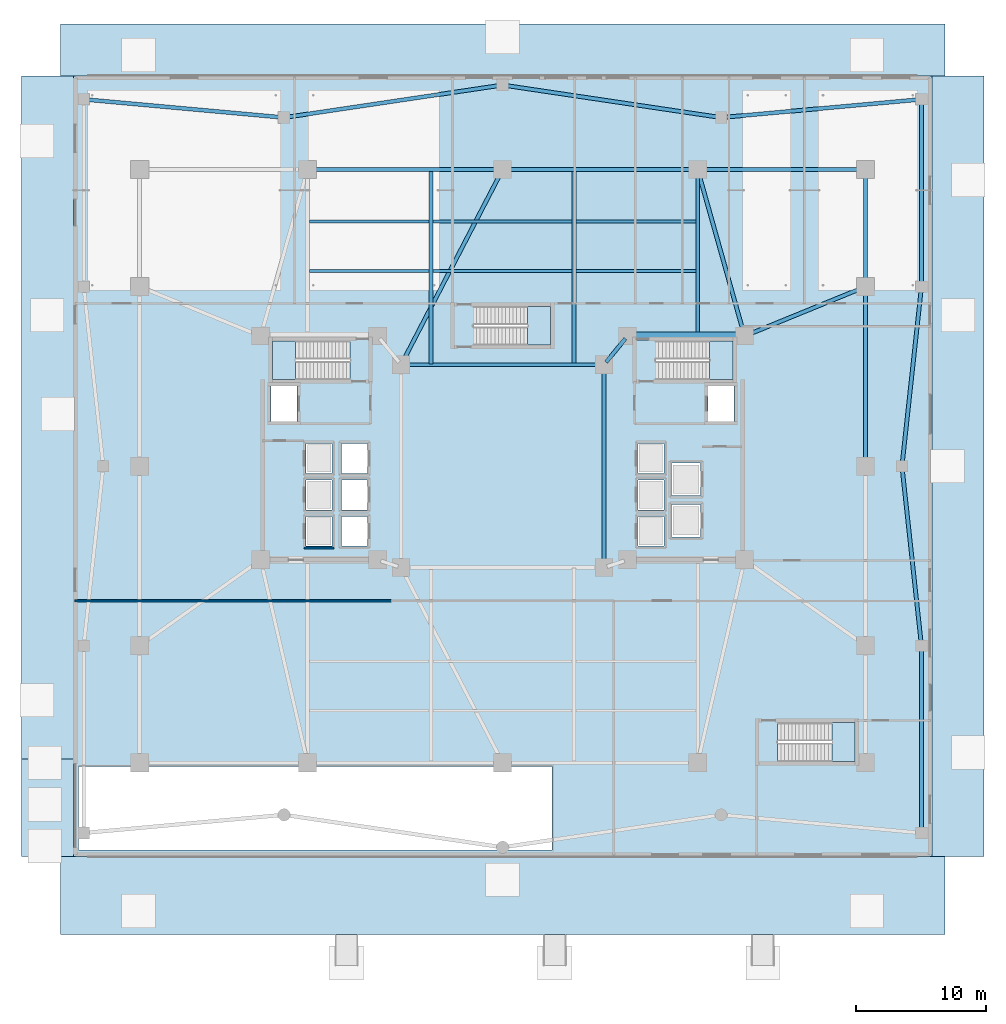
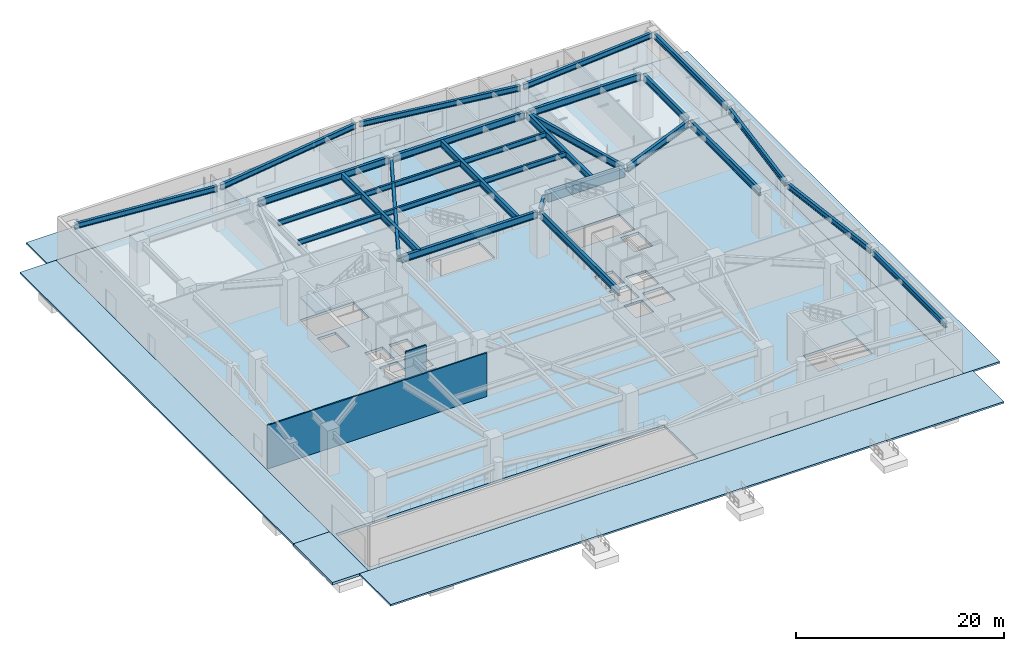
# One storey, part 2 of 18: 29 beams, 10 slabs, 2 walls, 4 elements without a shape of their own.
"""IFC4 building model written with IfcOpenShell, lengths in metres."""

import ifcopenshell
import ifcopenshell.guid

model = None  # the IFC model being written
_history = None  # IfcOwnerHistory: only IFC2X3 demands one
_inside = {}  # id of a spatial element -> (the spatial element, [elements in it])
_under = {}  # id of a project, library or spatial element -> (it, [spatial elements below it])
_declared = {}  # id of a project -> (the project, [libraries it declares])
_typed = {}  # id of a type object -> (the type object, [elements of that type])
_made_of = {}  # id of a material, layer set ... -> (it, [elements and type objects made of it])


def new_model(schema):
    """Start an empty IFC model of exactly this schema.

    Asked for "IFC4X3", IfcOpenShell would pick the latest addendum, in which some entities
    have other attributes; the version numbers below select the first issue.
    IFC2X3 requires an IfcOwnerHistory on every rooted entity: one is made here for all.
    """
    global model, _history
    if schema == "IFC4X3":
        model = ifcopenshell.file(schema_version=(4, 3, 0, 0))
    else:
        model = ifcopenshell.file(schema=schema)
    _inside.clear()
    _under.clear()
    _declared.clear()
    _typed.clear()
    _made_of.clear()
    _history = None
    if model.schema == "IFC2X3":
        org = make("IfcOrganization", Name="unknown")
        user = make(
            "IfcPersonAndOrganization",
            ThePerson=make("IfcPerson", FamilyName="unknown"),
            TheOrganization=org,
        )
        app = make(
            "IfcApplication",
            ApplicationDeveloper=org,
            Version="unknown",
            ApplicationFullName="unknown",
            ApplicationIdentifier="unknown",
        )
        _history = make(
            "IfcOwnerHistory",
            OwningUser=user,
            OwningApplication=app,
            ChangeAction="ADDED",
            CreationDate=0,
        )
    return model


def make(cls, **values):
    """One entity of the class cls with the attributes given. An attribute that is None is left unset."""
    return model.create_entity(
        cls, **{name: value for name, value in values.items() if value is not None}
    )


def rooted(cls, **values):
    """An entity with a GlobalId (a new one), such as an element, a storey or a relation."""
    return make(cls, GlobalId=ifcopenshell.guid.new(), OwnerHistory=_history, **values)


def si_unit(unit_type, name, prefix=None):
    """IfcSIUnit, for example si_unit("LENGTHUNIT", "METRE", prefix="MILLI")."""
    return make("IfcSIUnit", UnitType=unit_type, Prefix=prefix, Name=name)


def assignment(units):
    """IfcUnitAssignment: the units of a project."""
    return None if units is None else make("IfcUnitAssignment", Units=units)


def point(xyz):
    """IfcCartesianPoint."""
    return None if xyz is None else make("IfcCartesianPoint", Coordinates=xyz)


def direction(xyz):
    """IfcDirection."""
    return None if xyz is None else make("IfcDirection", DirectionRatios=xyz)


def frame(location, z_axis=None, x_axis=None):
    """IfcAxis2Placement3D, a coordinate frame: its origin and axes. An axis left out is left unset."""
    return make(
        "IfcAxis2Placement3D",
        Location=point(location),
        Axis=direction(z_axis),
        RefDirection=direction(x_axis),
    )


def frame_2d(location, x_axis=None):
    """IfcAxis2Placement2D, a coordinate frame in the plane: its origin and x axis."""
    return make(
        "IfcAxis2Placement2D", Location=point(location), RefDirection=direction(x_axis)
    )


def origin():
    """The frame at (0, 0, 0) with its axes left unset."""
    return frame((0.0, 0.0, 0.0))


def origin_2d():
    """The frame at (0, 0) in the plane with its x axis left unset."""
    return frame_2d((0.0, 0.0))


def place(relative_to, where):
    """IfcLocalPlacement: puts the frame where relative to a parent placement (None: the world)."""
    return make(
        "IfcLocalPlacement", PlacementRelTo=relative_to, RelativePlacement=where
    )


def context(
    kind, dimensions, precision=None, world=None, true_north=None, identifier=None
):
    """IfcGeometricRepresentationContext, for example the 3D "Model" context."""
    return make(
        "IfcGeometricRepresentationContext",
        ContextIdentifier=identifier,
        ContextType=kind,
        CoordinateSpaceDimension=dimensions,
        Precision=precision,
        WorldCoordinateSystem=world,
        TrueNorth=true_north,
    )


def subcontext(parent, identifier, kind, view, scale=None):
    """IfcGeometricRepresentationSubContext, for example "Body" below "Model"."""
    return make(
        "IfcGeometricRepresentationSubContext",
        ContextIdentifier=identifier,
        ContextType=kind,
        ParentContext=parent,
        TargetScale=scale,
        TargetView=view,
    )


def project(units=None, contexts=None):
    """IfcProject with its units and contexts."""
    return rooted(
        "IfcProject",
        Name="project",
        RepresentationContexts=contexts,
        UnitsInContext=assignment(units),
    )


def spatial(cls, under=None, at=None, **own):
    """A site, building, storey or space (cls), placed at a placement, below another one or the project."""
    s = rooted(cls, ObjectPlacement=at, **own)
    if under is not None:
        _under.setdefault(under.id(), (under, []))[1].append(s)
    return s


def polyline(points):
    """IfcPolyline through the points."""
    return make("IfcPolyline", Points=[point(p) for p in points])


def profile(cls, at=None, kind="AREA", **sizes):
    """A parametric profile (cls). Its sizes go by their IFC names, for example OverallWidth=200.0."""
    return make(cls, ProfileType=kind, Position=at, **sizes)


def rectangle(**sizes):
    """IfcRectangleProfileDef."""
    return profile("IfcRectangleProfileDef", **sizes)


def i_section(**sizes):
    """IfcIShapeProfileDef."""
    return profile("IfcIShapeProfileDef", **sizes)


def outline(outer, holes=None, kind="AREA"):
    """IfcArbitraryClosedProfileDef: a profile drawn as a closed curve; with holes, ...WithVoids."""
    if holes is None:
        return make("IfcArbitraryClosedProfileDef", ProfileType=kind, OuterCurve=outer)
    return make(
        "IfcArbitraryProfileDefWithVoids",
        ProfileType=kind,
        OuterCurve=outer,
        InnerCurves=holes,
    )


def extrude(swept, where, along, depth):
    """IfcExtrudedAreaSolid: the profile swept, set in the frame where, extruded along a direction by depth."""
    return make(
        "IfcExtrudedAreaSolid",
        SweptArea=swept,
        Position=where,
        ExtrudedDirection=direction(along),
        Depth=depth,
    )


def shape(context_of_items, identifier, shape_type, items):
    """IfcShapeRepresentation: the items that make up one representation, for example the "Body"."""
    return make(
        "IfcShapeRepresentation",
        ContextOfItems=context_of_items,
        RepresentationIdentifier=identifier,
        RepresentationType=shape_type,
        Items=items,
    )


def material(Name=None, Category=None):
    """IfcMaterial."""
    return make("IfcMaterial", Name=Name, Category=Category)


def layer(
    of_material, thickness, ventilated=None, Name=None, Category=None, Priority=None
):
    """IfcMaterialLayer: one layer of a wall or slab, of a material (None: an air gap)."""
    return make(
        "IfcMaterialLayer",
        Material=of_material,
        LayerThickness=thickness,
        IsVentilated=ventilated,
        Name=Name,
        Category=Category,
        Priority=Priority,
    )


def layer_set(layers, Name=None):
    """IfcMaterialLayerSet."""
    return make("IfcMaterialLayerSet", MaterialLayers=layers, LayerSetName=Name)


def material_profile(
    of_material, cross_section, Name=None, Category=None, Priority=None
):
    """IfcMaterialProfile: a cross section and its material."""
    return make(
        "IfcMaterialProfile",
        Name=Name,
        Material=of_material,
        Profile=cross_section,
        Priority=Priority,
        Category=Category,
    )


def profile_set(profiles, Name=None, composite=None):
    """IfcMaterialProfileSet."""
    return make(
        "IfcMaterialProfileSet",
        Name=Name,
        MaterialProfiles=profiles,
        CompositeProfile=composite,
    )


def made_of(thing, what):
    """Note that an element or type object is made of a material, layer set ...; save() writes the relation."""
    if what is not None:
        _made_of.setdefault(what.id(), (what, []))[1].append(thing)
    return thing


def type_object(cls, material=None, **own):
    """A type object (cls), such as IfcWallType, which elements share."""
    return made_of(rooted(cls, **own), material)


def element(
    cls,
    number,
    at=None,
    inside=None,
    cuts=None,
    type_object=None,
    material=None,
    context=None,
    identifier="Body",
    shape_type=None,
    held_by="IfcProductDefinitionShape",
    body=None,
    shapes=None,
    **own,
):
    """One element of the class cls, such as IfcWall. Its Tag is "e" and its number.

    at: its placement. inside: the storey or other place that contains it. cuts: it is an
    opening in that element (IfcRelVoidsElement). A single representation is given by context,
    identifier, shape_type and body (its items); several are given by shapes. held_by: the class
    of the entity that holds the representations. save() writes the other relations.
    """
    e = rooted(cls, Tag="e%d" % number, ObjectPlacement=at, **own)
    if body is not None:
        shapes = [shape(context, identifier, shape_type, body)]
    if shapes is not None:
        e.Representation = make(held_by, Representations=shapes)
    if inside is not None:
        _inside.setdefault(inside.id(), (inside, []))[1].append(e)
    if cuts is not None:
        rooted(
            "IfcRelVoidsElement", RelatingBuildingElement=cuts, RelatedOpeningElement=e
        )
    if type_object is not None:
        _typed.setdefault(type_object.id(), (type_object, []))[1].append(e)
    return made_of(e, material)


def aggregate(whole, parts):
    """IfcRelAggregates: a whole, such as a stair, and the parts it consists of."""
    return rooted("IfcRelAggregates", RelatingObject=whole, RelatedObjects=parts)


def save(model, path):
    """Write the relations noted so far, then the file.

    IfcRelAggregates (storeys below a building ...), IfcRelContainedInSpatialStructure (elements
    in a storey), IfcRelDefinesByType, IfcRelAssociatesMaterial and IfcRelDeclares: one each for
    every whole, place, type object, material and project.
    """
    for whole, parts in _under.values():
        aggregate(whole, parts)
    for where, things in _inside.values():
        rooted(
            "IfcRelContainedInSpatialStructure",
            RelatedElements=things,
            RelatingStructure=where,
        )
    for kind, things in _typed.values():
        rooted("IfcRelDefinesByType", RelatedObjects=things, RelatingType=kind)
    for what, things in _made_of.values():
        rooted("IfcRelAssociatesMaterial", RelatedObjects=things, RelatingMaterial=what)
    for by, libraries in _declared.values():
        rooted("IfcRelDeclares", RelatingContext=by, RelatedDefinitions=libraries)
    model.write(path)


model = new_model("IFC4")

# Units and contexts
model_context = context("Model", 3, precision=1e-05, world=origin(), true_north=direction((0.0, 1.0)))
body_context = subcontext(model_context, "Body", "Model", "MODEL_VIEW")
ifc_project = project(units=[si_unit("LENGTHUNIT", "METRE"), si_unit("AREAUNIT", "SQUARE_METRE"), si_unit("VOLUMEUNIT", "CUBIC_METRE"), si_unit("PLANEANGLEUNIT", "RADIAN"), si_unit("MASSUNIT", "GRAM", prefix="KILO")], contexts=[model_context])

# Site, building, storey
site_placement = place(None, origin())
site = spatial("IfcSite", under=ifc_project, at=site_placement, CompositionType="ELEMENT")
building_placement = place(site_placement, origin())
building = spatial("IfcBuilding", under=site, at=building_placement, Name="Tarnavaz Court Tower", CompositionType="ELEMENT")
storey_placement = place(building_placement, origin())
storey = spatial("IfcBuildingStorey", under=building, at=storey_placement, Name="L00", CompositionType="ELEMENT", Elevation=0.0)

# Beams
ifc_material_1 = material(Name="Concrete C60/75", Category="concrete")
ifc_material_profile_1 = material_profile(ifc_material_1, rectangle(XDim=0.60009765625, YDim=1.0, at=origin_2d()), Name="RC 600X1000")
ifc_profile_set_1 = profile_set([ifc_material_profile_1], Name="Concrete C60/75")
beam_type_1 = type_object("IfcBeamType", Name="BM-CB1000", PredefinedType="LINTEL", material=ifc_profile_set_1)
beam_1_placement = place(storey_placement, frame((18.35009765625, 10.0, 4.60009765625), z_axis=(-1.0, 0.0, 0.0), x_axis=(0.0, -1.0, 0.0)))
element("IfcBeam", 1, at=beam_1_placement, inside=storey, type_object=beam_type_1, Name="L00 Beam CE-NO-CE-NI", PredefinedType="LINTEL", context=body_context, shape_type="SweptSolid", body=[
    extrude(rectangle(XDim=0.60009765625, YDim=1.0, at=origin_2d()), origin(), (0.0, 0.0, 1.0), 8.5),
])
ifc_material_2 = material(Name="Steel S355", Category="steel")
ifc_material_profile_2 = material_profile(ifc_material_2, i_section(OverallWidth=0.300048828125, OverallDepth=0.800048828125, WebThickness=0.017578125, FlangeThickness=0.032958984375, FilletRadius=0.030029296875, at=origin_2d()), Name="HEB 800")
ifc_profile_set_2 = profile_set([ifc_material_profile_2], Name="Steel S355")
beam_type_2 = type_object("IfcBeamType", Name="BM-G-HEB800", PredefinedType="USERDEFINED", material=ifc_profile_set_2)
for number, where, z_axis, x_axis, name in (
    (2, (-7.550048828125, 7.800048828125, 4.699951171875), (1.0, 0.0, 0.0), (0.0, 1.0, 0.0), "L00 Beam IW-NW-IW-NE"),
    (3, (7.800048828125, -7.550048828125, 4.699951171875), (0.0, 1.0, 0.0), (-1.0, 0.0, 0.0), "L00 Beam IW-SE-IW-NE"),
):
    element("IfcBeam", number, at=place(storey_placement, frame(where, z_axis=z_axis, x_axis=x_axis)), inside=storey, type_object=beam_type_2, Name=name, ObjectType="GIRDER", PredefinedType="USERDEFINED", context=body_context, shape_type="SweptSolid", body=[
        extrude(i_section(OverallWidth=0.300048828125, OverallDepth=0.800048828125, WebThickness=0.017578125, FlangeThickness=0.032958984375, FilletRadius=0.030029296875, at=origin_2d()), origin(), (0.0, 0.0, 1.0), 15.10009765625),
    ])
beam_2_placement = place(storey_placement, frame((9.441650390625, 9.806396484375, 4.699951171875), z_axis=(-0.633249141033, -0.773948012066, 0.0), x_axis=(0.773948012066, -0.633249141033, 0.0)))
element("IfcBeam", 4, at=beam_2_placement, inside=storey, type_object=beam_type_2, Name="L00 Beam CE-NI-IW-NE", ObjectType="GIRDER", PredefinedType="USERDEFINED", context=body_context, shape_type="SweptSolid", body=[
    extrude(i_section(OverallWidth=0.300048828125, OverallDepth=0.800048828125, WebThickness=0.017578125, FlangeThickness=0.032958984375, FilletRadius=0.030029296875, at=origin_2d()), origin(), (0.0, 0.0, 1.0), 2.342529296875),
])
for number, where, z_axis, x_axis, name in (
    (5, (-14.75, 22.800048828125, 4.699951171875), (1.0, 0.0, 0.0), (0.0, 1.0, 0.0), "L00 Beam PM-PM-N1-PM-N2"),
    (6, (0.25, 22.800048828125, 4.699951171875), (1.0, 0.0, 0.0), (0.0, 1.0, 0.0), "L00 Beam PM-PM-N2-PM-N3"),
):
    element("IfcBeam", number, at=place(storey_placement, frame(where, z_axis=z_axis, x_axis=x_axis)), inside=storey, type_object=beam_type_2, Name=name, ObjectType="GIRDER", PredefinedType="USERDEFINED", context=body_context, shape_type="SweptSolid", body=[
        extrude(i_section(OverallWidth=0.300048828125, OverallDepth=0.800048828125, WebThickness=0.017578125, FlangeThickness=0.032958984375, FilletRadius=0.030029296875, at=origin_2d()), origin(), (0.0, 0.0, 1.0), 14.5),
    ])
beam_3_placement = place(storey_placement, frame((15.25, 22.800048828125, 4.699951171875), z_axis=(1.0, 0.0, 0.0), x_axis=(0.0, 1.0, 0.0)))
element("IfcBeam", 7, at=beam_3_placement, inside=storey, type_object=beam_type_2, Name="L00 Beam PM-PM-N3-PM-NE", ObjectType="GIRDER", PredefinedType="USERDEFINED", context=body_context, shape_type="SweptSolid", body=[
    extrude(i_section(OverallWidth=0.300048828125, OverallDepth=0.800048828125, WebThickness=0.017578125, FlangeThickness=0.032958984375, FilletRadius=0.030029296875, at=origin_2d()), origin(), (0.0, 0.0, 1.0), 12.39990234375),
])
beam_4_placement = place(storey_placement, frame((27.89990234375, 0.25, 4.699951171875), z_axis=(0.0, 1.0, 0.0), x_axis=(-1.0, 0.0, 0.0)))
element("IfcBeam", 8, at=beam_4_placement, inside=storey, type_object=beam_type_2, Name="L00 Beam PM-PM-E2-PM-E3", ObjectType="GIRDER", PredefinedType="USERDEFINED", context=body_context, shape_type="SweptSolid", body=[
    extrude(i_section(OverallWidth=0.300048828125, OverallDepth=0.800048828125, WebThickness=0.017578125, FlangeThickness=0.032958984375, FilletRadius=0.030029296875, at=origin_2d()), origin(), (0.0, 0.0, 1.0), 13.300048828125),
])
beam_5_placement = place(storey_placement, frame((27.89990234375, 14.050048828125, 4.699951171875), z_axis=(0.0, 1.0, 0.0), x_axis=(-1.0, 0.0, 0.0)))
element("IfcBeam", 9, at=beam_5_placement, inside=storey, type_object=beam_type_2, Name="L00 Beam PM-PM-E3-PM-NE", ObjectType="GIRDER", PredefinedType="USERDEFINED", context=body_context, shape_type="SweptSolid", body=[
    extrude(i_section(OverallWidth=0.300048828125, OverallDepth=0.800048828125, WebThickness=0.017578125, FlangeThickness=0.032958984375, FilletRadius=0.030029296875, at=origin_2d()), origin(), (0.0, 0.0, 1.0), 8.5),
])
beam_6_placement = place(storey_placement, frame((-7.684814453125, 8.021728515625, 4.699951171875), z_axis=(0.461364918236, 0.887210466699, 0.0), x_axis=(-0.887210466699, 0.461364918236, 0.0)))
element("IfcBeam", 10, at=beam_6_placement, inside=storey, type_object=beam_type_2, Name="L00 Beam PM-IW-NW-PM-N2", ObjectType="GIRDER", PredefinedType="USERDEFINED", context=body_context, shape_type="SweptSolid", body=[
    extrude(i_section(OverallWidth=0.300048828125, OverallDepth=0.800048828125, WebThickness=0.017578125, FlangeThickness=0.032958984375, FilletRadius=0.030029296875, at=origin_2d()), origin(), (0.0, 0.0, 1.0), 16.406982421875),
])
beam_7_placement = place(storey_placement, frame((18.5322265625, 10.24072265625, 4.699951171875), z_axis=(-0.270745024415, 0.962651095545, 0.0), x_axis=(-0.962651095545, -0.270745024415, 0.0)))
element("IfcBeam", 11, at=beam_7_placement, inside=storey, type_object=beam_type_2, Name="L00 Beam PM-CE-NO-PM-N3", ObjectType="GIRDER", PredefinedType="USERDEFINED", context=body_context, shape_type="SweptSolid", body=[
    extrude(i_section(OverallWidth=0.300048828125, OverallDepth=0.800048828125, WebThickness=0.017578125, FlangeThickness=0.032958984375, FilletRadius=0.030029296875, at=origin_2d()), origin(), (0.0, 0.0, 1.0), 12.796630859375),
])
beam_8_placement = place(storey_placement, frame((18.831298828125, 10.094482421875, 4.699951171875), z_axis=(0.925710630755, 0.378232505356, 0.0), x_axis=(-0.378232505356, 0.925710630755, 0.0)))
element("IfcBeam", 12, at=beam_8_placement, inside=storey, type_object=beam_type_2, Name="L00 Beam PM-CE-NO-PM-E3", ObjectType="GIRDER", PredefinedType="USERDEFINED", context=body_context, shape_type="SweptSolid", body=[
    extrude(i_section(OverallWidth=0.300048828125, OverallDepth=0.800048828125, WebThickness=0.017578125, FlangeThickness=0.032958984375, FilletRadius=0.030029296875, at=origin_2d()), origin(), (0.0, 0.0, 1.0), 9.546630859375),
])
for number, where, z_axis, x_axis, name in (
    (13, (-5.5, 7.840087890625, 4.699951171875), (0.0, 1.0, 0.0), (-1.0, 0.0, 0.0), "L00 Beam PM-NS-NCW"),
    (14, (5.5, 7.840087890625, 4.699951171875), (0.0, 1.0, 0.0), (-1.0, 0.0, 0.0), "L00 Beam PM-NS-NCE"),
):
    element("IfcBeam", number, at=place(storey_placement, frame(where, z_axis=z_axis, x_axis=x_axis)), inside=storey, type_object=beam_type_2, Name=name, ObjectType="GIRDER", PredefinedType="USERDEFINED", context=body_context, shape_type="SweptSolid", body=[
        extrude(i_section(OverallWidth=0.300048828125, OverallDepth=0.800048828125, WebThickness=0.017578125, FlangeThickness=0.032958984375, FilletRadius=0.030029296875, at=origin_2d()), origin(), (0.0, 0.0, 1.0), 14.919921875),
    ])
beam_9_placement = place(storey_placement, frame((15.0, 10.0400390625, 4.699951171875), z_axis=(0.0, 1.0, 0.0), x_axis=(-1.0, 0.0, 0.0)))
element("IfcBeam", 15, at=beam_9_placement, inside=storey, type_object=beam_type_2, Name="L00 Beam PM-NS-NE", ObjectType="GIRDER", PredefinedType="USERDEFINED", context=body_context, shape_type="SweptSolid", body=[
    extrude(i_section(OverallWidth=0.300048828125, OverallDepth=0.800048828125, WebThickness=0.017578125, FlangeThickness=0.032958984375, FilletRadius=0.030029296875, at=origin_2d()), origin(), (0.0, 0.0, 1.0), 12.719970703125),
])
ifc_material_profile_3 = material_profile(ifc_material_2, i_section(OverallWidth=0.219970703125, OverallDepth=0.60009765625, WebThickness=0.011962890625, FlangeThickness=0.01904296875, FilletRadius=0.02392578125, at=origin_2d()), Name="IPE 600")
ifc_profile_set_3 = profile_set([ifc_material_profile_3], Name="Steel S355")
beam_type_3 = type_object("IfcBeamType", Name="BM-J-IPE600", PredefinedType="JOIST", material=ifc_profile_set_3)
beam_10_placement = place(storey_placement, frame((-14.85009765625, 15.0, 4.800048828125), z_axis=(1.0, 0.0, 0.0), x_axis=(0.0, 1.0, 0.0)))
element("IfcBeam", 16, at=beam_10_placement, inside=storey, type_object=beam_type_3, Name="L00 Beam PJN-1-1", PredefinedType="JOIST", context=body_context, shape_type="SweptSolid", body=[
    extrude(i_section(OverallWidth=0.219970703125, OverallDepth=0.60009765625, WebThickness=0.011962890625, FlangeThickness=0.01904296875, FilletRadius=0.02392578125, at=origin_2d()), origin(), (0.0, 0.0, 1.0), 9.2001953125),
])
beam_11_placement = place(storey_placement, frame((-5.35009765625, 15.0, 4.800048828125), z_axis=(1.0, 0.0, 0.0), x_axis=(0.0, 1.0, 0.0)))
element("IfcBeam", 17, at=beam_11_placement, inside=storey, type_object=beam_type_3, Name="L00 Beam PJN-1-2", PredefinedType="JOIST", context=body_context, shape_type="SweptSolid", body=[
    extrude(i_section(OverallWidth=0.219970703125, OverallDepth=0.60009765625, WebThickness=0.011962890625, FlangeThickness=0.01904296875, FilletRadius=0.02392578125, at=origin_2d()), origin(), (0.0, 0.0, 1.0), 10.7001953125),
])
for number, where, z_axis, x_axis, name in (
    (18, (5.64990234375, 15.0, 4.800048828125), (1.0, 0.0, 0.0), (0.0, 1.0, 0.0), "L00 Beam PJN-1-3"),
    (19, (-14.85009765625, 18.800048828125, 4.800048828125), (1.0, 0.0, 0.0), (0.0, 1.0, 0.0), "L00 Beam PJN-2-1"),
):
    element("IfcBeam", number, at=place(storey_placement, frame(where, z_axis=z_axis, x_axis=x_axis)), inside=storey, type_object=beam_type_3, Name=name, PredefinedType="JOIST", context=body_context, shape_type="SweptSolid", body=[
        extrude(i_section(OverallWidth=0.219970703125, OverallDepth=0.60009765625, WebThickness=0.011962890625, FlangeThickness=0.01904296875, FilletRadius=0.02392578125, at=origin_2d()), origin(), (0.0, 0.0, 1.0), 9.2001953125),
    ])
beam_12_placement = place(storey_placement, frame((-5.35009765625, 18.800048828125, 4.800048828125), z_axis=(1.0, 0.0, 0.0), x_axis=(0.0, 1.0, 0.0)))
element("IfcBeam", 20, at=beam_12_placement, inside=storey, type_object=beam_type_3, Name="L00 Beam PJN-2-2", PredefinedType="JOIST", context=body_context, shape_type="SweptSolid", body=[
    extrude(i_section(OverallWidth=0.219970703125, OverallDepth=0.60009765625, WebThickness=0.011962890625, FlangeThickness=0.01904296875, FilletRadius=0.02392578125, at=origin_2d()), origin(), (0.0, 0.0, 1.0), 10.7001953125),
])
beam_13_placement = place(storey_placement, frame((5.64990234375, 18.800048828125, 4.800048828125), z_axis=(1.0, 0.0, 0.0), x_axis=(0.0, 1.0, 0.0)))
element("IfcBeam", 21, at=beam_13_placement, inside=storey, type_object=beam_type_3, Name="L00 Beam PJN-2-3", PredefinedType="JOIST", context=body_context, shape_type="SweptSolid", body=[
    extrude(i_section(OverallWidth=0.219970703125, OverallDepth=0.60009765625, WebThickness=0.011962890625, FlangeThickness=0.01904296875, FilletRadius=0.02392578125, at=origin_2d()), origin(), (0.0, 0.0, 1.0), 9.2001953125),
])
ifc_material_profile_4 = material_profile(ifc_material_2, i_section(OverallWidth=0.300048828125, OverallDepth=0.639892578125, WebThickness=0.013427734375, FlangeThickness=0.02587890625, FilletRadius=0.027099609375, at=origin_2d()), Name="HEA 650")
ifc_profile_set_4 = profile_set([ifc_material_profile_4], Name="Steel S355")
beam_type_4 = type_object("IfcBeamType", Name="BM-SP-HEA650", PredefinedType="SPANDREL", material=ifc_profile_set_4)
beam_14_placement = place(storey_placement, frame((32.199951171875, -28.0, 4.780029296875), z_axis=(0.0, 1.0, 0.0), x_axis=(-1.0, 0.0, 0.0)))
element("IfcBeam", 22, at=beam_14_placement, inside=storey, type_object=beam_type_4, Name="L00 Beam PR-POD-SE1-POD-E1", PredefinedType="SPANDREL", context=body_context, shape_type="SweptSolid", body=[
    extrude(i_section(OverallWidth=0.300048828125, OverallDepth=0.639892578125, WebThickness=0.013427734375, FlangeThickness=0.02587890625, FilletRadius=0.027099609375, at=origin_2d()), origin(), (0.0, 0.0, 1.0), 14.0),
])
for number, where, z_axis, x_axis, name in (
    (23, (32.178466796875, -13.601318359375, 4.780029296875), (-0.10805801352, 0.994144589944, 0.0), (-0.994144589944, -0.10805801352, 0.0), "L00 Beam PR-POD-E1-POD-E2"),
    (24, (30.7216796875, 0.19873046875, 4.780029296875), (0.10805801352, 0.994144589944, 0.0), (-0.994144589944, 0.10805801352, 0.0), "L00 Beam PR-POD-E2-POD-E3"),
):
    element("IfcBeam", number, at=place(storey_placement, frame(where, z_axis=z_axis, x_axis=x_axis)), inside=storey, type_object=beam_type_4, Name=name, PredefinedType="SPANDREL", context=body_context, shape_type="SweptSolid", body=[
        extrude(i_section(OverallWidth=0.300048828125, OverallDepth=0.639892578125, WebThickness=0.013427734375, FlangeThickness=0.02587890625, FilletRadius=0.027099609375, at=origin_2d()), origin(), (0.0, 0.0, 1.0), 13.4814453125),
    ])
beam_15_placement = place(storey_placement, frame((32.199951171875, 14.0, 4.780029296875), z_axis=(0.0, 1.0, 0.0), x_axis=(-1.0, 0.0, 0.0)))
element("IfcBeam", 25, at=beam_15_placement, inside=storey, type_object=beam_type_4, Name="L00 Beam PR-POD-E3-POD-NE1", PredefinedType="SPANDREL", context=body_context, shape_type="SweptSolid", body=[
    extrude(i_section(OverallWidth=0.300048828125, OverallDepth=0.639892578125, WebThickness=0.013427734375, FlangeThickness=0.02587890625, FilletRadius=0.027099609375, at=origin_2d()), origin(), (0.0, 0.0, 1.0), 14.0),
])
beam_16_placement = place(storey_placement, frame((-32.000732421875, 28.181884765625, 4.780029296875), z_axis=(0.995893206468, -0.090535746043, 0.0), x_axis=(0.090535746043, 0.995893206468, 0.0)))
element("IfcBeam", 26, at=beam_16_placement, inside=storey, type_object=beam_type_4, Name="L00 Beam PR-POD-NW1-POD-N1", PredefinedType="SPANDREL", context=body_context, shape_type="SweptSolid", body=[
    extrude(i_section(OverallWidth=0.300048828125, OverallDepth=0.639892578125, WebThickness=0.013427734375, FlangeThickness=0.02587890625, FilletRadius=0.027099609375, at=origin_2d()), origin(), (0.0, 0.0, 1.0), 15.063232421875),
])
for number, where, z_axis, x_axis, name in (
    (27, (-16.602294921875, 26.829345703125, 4.780029296875), (0.989108332922, 0.147189353368, 0.0), (-0.147189353368, 0.989108332922, 0.0), "L00 Beam PR-POD-N1-POD-N2"),
    (28, (0.19775390625, 29.2705078125, 4.780029296875), (0.989108332922, -0.147189353368, 0.0), (0.147189353368, 0.989108332922, 0.0), "L00 Beam PR-POD-N2-POD-N3"),
):
    element("IfcBeam", number, at=place(storey_placement, frame(where, z_axis=z_axis, x_axis=x_axis)), inside=storey, type_object=beam_type_4, Name=name, PredefinedType="SPANDREL", context=body_context, shape_type="SweptSolid", body=[
        extrude(i_section(OverallWidth=0.300048828125, OverallDepth=0.639892578125, WebThickness=0.013427734375, FlangeThickness=0.02587890625, FilletRadius=0.027099609375, at=origin_2d()), origin(), (0.0, 0.0, 1.0), 16.585205078125),
    ])
beam_17_placement = place(storey_placement, frame((16.999267578125, 26.818115234375, 4.780029296875), z_axis=(0.995893206468, 0.090535746043, 0.0), x_axis=(-0.090535746043, 0.995893206468, 0.0)))
element("IfcBeam", 29, at=beam_17_placement, inside=storey, type_object=beam_type_4, Name="L00 Beam PR-POD-N3-POD-NE1", PredefinedType="SPANDREL", context=body_context, shape_type="SweptSolid", body=[
    extrude(i_section(OverallWidth=0.300048828125, OverallDepth=0.639892578125, WebThickness=0.013427734375, FlangeThickness=0.02587890625, FilletRadius=0.027099609375, at=origin_2d()), origin(), (0.0, 0.0, 1.0), 15.063232421875),
])

# Stair, slab
ifc_material_3 = material(Name="Concrete C40/50", Category="concrete")
stair_type = type_object("IfcStairType", Name="ST-TWR-32R", PredefinedType="HALF_TURN_STAIR", material=ifc_material_3)
stair_1_placement = place(storey_placement, origin())
stair_1 = element("IfcStair", 30, at=stair_1_placement, inside=storey, type_object=stair_type, Name="L00 West Core Pressurized Exit Stair ST-W1", PredefinedType="HALF_TURN_STAIR")
ifc_layer_1 = layer(ifc_material_3, 0.199951171875)
ifc_layer_set_1 = layer_set([ifc_layer_1], Name="Concrete C40/50")
slab_type_1 = type_object("IfcSlabType", Name="SL-LAND-200", PredefinedType="LANDING", material=ifc_layer_set_1)
slab_1_placement = place(storey_placement, frame((0.0, 0.0, 2.5)))
slab_1 = element("IfcSlab", 31, at=slab_1_placement, type_object=slab_type_1, Name="ST-W1 landing 1", PredefinedType="LANDING", context=body_context, shape_type="SweptSolid", body=[
    extrude(outline(polyline([(-15.919921875, 9.639892578125), (-17.699951171875, 9.639892578125), (-17.699951171875, 6.64990234375), (-15.919921875, 6.64990234375), (-15.919921875, 9.639892578125)])), origin(), (0.0, 0.0, 1.0), 0.199951171875),
])
aggregate(stair_1, [slab_1])

stair_2_placement = place(storey_placement, origin())
stair_2 = element("IfcStair", 32, at=stair_2_placement, inside=storey, type_object=stair_type, Name="L00 East Core Pressurized Exit Stair ST-E1", PredefinedType="HALF_TURN_STAIR")
slab_2_placement = place(storey_placement, frame((0.0, 0.0, 2.5)))
slab_2 = element("IfcSlab", 33, at=slab_2_placement, type_object=slab_type_1, Name="ST-E1 landing 1", PredefinedType="LANDING", context=body_context, shape_type="SweptSolid", body=[
    extrude(outline(polyline([(15.919921875, 6.64990234375), (17.699951171875, 6.64990234375), (17.699951171875, 9.639892578125), (15.919921875, 9.639892578125), (15.919921875, 6.64990234375)])), origin(), (0.0, 0.0, 1.0), 0.199951171875),
])
aggregate(stair_2, [slab_2])

stair_3_placement = place(storey_placement, origin())
stair_3 = element("IfcStair", 34, at=stair_3_placement, inside=storey, type_object=stair_type, Name="L00 North Ring Pressurized Exit Stair ST-N1", PredefinedType="HALF_TURN_STAIR")
slab_3_placement = place(storey_placement, frame((0.0, 0.0, 2.5)))
slab_3 = element("IfcSlab", 35, at=slab_3_placement, type_object=slab_type_1, Name="ST-N1 landing 1", PredefinedType="LANDING", context=body_context, shape_type="SweptSolid", body=[
    extrude(outline(polyline([(1.919921875, 9.300048828125), (3.699951171875, 9.300048828125), (3.699951171875, 12.2900390625), (1.919921875, 12.2900390625), (1.919921875, 9.300048828125)])), origin(), (0.0, 0.0, 1.0), 0.199951171875),
])
aggregate(stair_3, [slab_3])

stair_4_placement = place(storey_placement, origin())
stair_4 = element("IfcStair", 36, at=stair_4_placement, inside=storey, type_object=stair_type, Name="L00 Podium Clinic Exit Stair ST-P1", PredefinedType="HALF_TURN_STAIR")
slab_4_placement = place(storey_placement, frame((0.0, 0.0, 2.5)))
slab_4 = element("IfcSlab", 37, at=slab_4_placement, type_object=slab_type_1, Name="ST-P1 landing 1", PredefinedType="LANDING", context=body_context, shape_type="SweptSolid", body=[
    extrude(outline(polyline([(25.320068359375, -22.699951171875), (27.10009765625, -22.699951171875), (27.10009765625, -19.7099609375), (25.320068359375, -19.7099609375), (25.320068359375, -22.699951171875)])), origin(), (0.0, 0.0, 1.0), 0.199951171875),
])
aggregate(stair_4, [slab_4])

# Slabs
ifc_layer_2 = layer(ifc_material_3, 0.199951171875)
ifc_layer_set_2 = layer_set([ifc_layer_2], Name="Concrete C40/50")
slab_type_2 = type_object("IfcSlabType", Name="SL-PAV-200", PredefinedType="USERDEFINED", material=ifc_layer_set_2)
slab_5_placement = place(storey_placement, frame((0.0, 0.0, -0.199951171875)))
element("IfcSlab", 38, at=slab_5_placement, inside=storey, type_object=slab_type_2, Name="South Chahar-Bagh Arrival Forecourt", ObjectType="PAVING", PredefinedType="USERDEFINED", context=body_context, shape_type="SweptSolid", body=[
    extrude(outline(polyline([(-34.0, -36.0), (34.0, -36.0), (34.0, -30.0), (-34.0, -30.0), (-34.0, -36.0)])), origin(), (0.0, 0.0, 1.0), 0.199951171875),
])
slab_6_placement = place(storey_placement, frame((0.0, 0.0, -0.199951171875)))
element("IfcSlab", 39, at=slab_6_placement, inside=storey, type_object=slab_type_2, Name="L00 North Perimeter Arrival Paving Walkway", ObjectType="PAVING", PredefinedType="USERDEFINED", context=body_context, shape_type="SweptSolid", body=[
    extrude(outline(polyline([(-34.0, 30.0), (34.0, 30.0), (34.0, 34.0), (-34.0, 34.0), (-34.0, 30.0)])), origin(), (0.0, 0.0, 1.0), 0.199951171875),
])
slab_7_placement = place(storey_placement, frame((0.0, 0.0, -0.199951171875)))
element("IfcSlab", 40, at=slab_7_placement, inside=storey, type_object=slab_type_2, Name="L00 West Perimeter Arrival Paving Walkway", ObjectType="PAVING", PredefinedType="USERDEFINED", context=body_context, shape_type="SweptSolid", body=[
    extrude(outline(polyline([(-37.0, -22.5), (-33.0, -22.5), (-33.0, 30.0), (-37.0, 30.0), (-37.0, -22.5)])), origin(), (0.0, 0.0, 1.0), 0.199951171875),
])
slab_8_placement = place(storey_placement, frame((0.0, 0.0, -0.199951171875)))
element("IfcSlab", 41, at=slab_8_placement, inside=storey, type_object=slab_type_2, Name="L00 East Perimeter Arrival Paving Walkway", ObjectType="PAVING", PredefinedType="USERDEFINED", context=body_context, shape_type="SweptSolid", body=[
    extrude(outline(polyline([(33.0, -30.0), (37.0, -30.0), (37.0, 30.0), (33.0, 30.0), (33.0, -30.0)])), origin(), (0.0, 0.0, 1.0), 0.199951171875),
])
ifc_layer_3 = layer(ifc_material_3, 0.300048828125)
ifc_layer_set_3 = layer_set([ifc_layer_3], Name="Concrete C40/50")
slab_type_3 = type_object("IfcSlabType", Name="SL-POD-300", PredefinedType="FLOOR", material=ifc_layer_set_3)
slab_9_placement = place(storey_placement, frame((0.0, 0.0, -0.300048828125)))
element("IfcSlab", 42, at=slab_9_placement, inside=storey, type_object=slab_type_3, Name="L00 Structural Floor Slab", PredefinedType="FLOOR", context=body_context, shape_type="SweptSolid", body=[
    extrude(outline(polyline([(-33.0, -30.0), (33.0, -30.0), (33.0, 30.0), (-33.0, 30.0), (-33.0, -30.0)]), holes=[polyline([(-11.7451171875, 9.639892578125), (-17.699951171875, 9.639892578125), (-17.699951171875, 6.64990234375), (-11.7451171875, 6.64990234375), (-11.7451171875, 9.639892578125)]), polyline([(11.7451171875, 6.64990234375), (17.699951171875, 6.64990234375), (17.699951171875, 9.639892578125), (11.7451171875, 9.639892578125), (11.7451171875, 6.64990234375)]), polyline([(-2.2548828125, 9.300048828125), (3.699951171875, 9.300048828125), (3.699951171875, 12.2900390625), (-2.2548828125, 12.2900390625), (-2.2548828125, 9.300048828125)]), polyline([(21.14501953125, -22.699951171875), (27.10009765625, -22.699951171875), (27.10009765625, -19.7099609375), (21.14501953125, -19.7099609375), (21.14501953125, -22.699951171875)]), polyline([(-17.800048828125, 3.449951171875), (-15.800048828125, 3.449951171875), (-15.800048828125, 6.14990234375), (-17.800048828125, 6.14990234375), (-17.800048828125, 3.449951171875)]), polyline([(-12.39990234375, -6.14990234375), (-10.39990234375, -6.14990234375), (-10.39990234375, -3.85009765625), (-12.39990234375, -3.85009765625), (-12.39990234375, -6.14990234375)]), polyline([(-12.39990234375, -3.35009765625), (-10.39990234375, -3.35009765625), (-10.39990234375, -1.050048828125), (-12.39990234375, -1.050048828125), (-12.39990234375, -3.35009765625)]), polyline([(-12.39990234375, -0.550048828125), (-10.39990234375, -0.550048828125), (-10.39990234375, 1.75), (-12.39990234375, 1.75), (-12.39990234375, -0.550048828125)]), polyline([(-15.10009765625, -6.14990234375), (-13.10009765625, -6.14990234375), (-13.10009765625, -3.85009765625), (-15.10009765625, -3.85009765625), (-15.10009765625, -6.14990234375)]), polyline([(-15.10009765625, -3.35009765625), (-13.10009765625, -3.35009765625), (-13.10009765625, -1.050048828125), (-15.10009765625, -1.050048828125), (-15.10009765625, -3.35009765625)]), polyline([(-15.10009765625, -0.550048828125), (-13.10009765625, -0.550048828125), (-13.10009765625, 1.75), (-15.10009765625, 1.75), (-15.10009765625, -0.550048828125)]), polyline([(15.800048828125, 3.449951171875), (17.800048828125, 3.449951171875), (17.800048828125, 6.14990234375), (15.800048828125, 6.14990234375), (15.800048828125, 3.449951171875)]), polyline([(10.39990234375, -6.14990234375), (12.39990234375, -6.14990234375), (12.39990234375, -3.85009765625), (10.39990234375, -3.85009765625), (10.39990234375, -6.14990234375)]), polyline([(10.39990234375, -3.35009765625), (12.39990234375, -3.35009765625), (12.39990234375, -1.050048828125), (10.39990234375, -1.050048828125), (10.39990234375, -3.35009765625)]), polyline([(10.39990234375, -0.550048828125), (12.39990234375, -0.550048828125), (12.39990234375, 1.75), (10.39990234375, 1.75), (10.39990234375, -0.550048828125)]), polyline([(13.0, -5.449951171875), (15.199951171875, -5.449951171875), (15.199951171875, -2.949951171875), (13.0, -2.949951171875), (13.0, -5.449951171875)]), polyline([(13.0, -2.25), (15.199951171875, -2.25), (15.199951171875, 0.25), (13.0, 0.25), (13.0, -2.25)]), polyline([(-32.60009765625, -29.5), (3.800048828125, -29.5), (3.800048828125, -23.10009765625), (-32.60009765625, -23.10009765625), (-32.60009765625, -29.5)])]), origin(), (0.0, 0.0, 1.0), 0.300048828125),
])
slab_10_placement = place(storey_placement, frame((0.0, 0.0, -0.300048828125)))
element("IfcSlab", 43, at=slab_10_placement, inside=storey, type_object=slab_type_3, Name="L00 West Vehicle Ramp Structural Driveway Apron", PredefinedType="FLOOR", context=body_context, shape_type="SweptSolid", body=[
    extrude(outline(polyline([(-37.0, -30.0), (-33.0, -30.0), (-33.0, -22.5), (-37.0, -22.5), (-37.0, -30.0)])), origin(), (0.0, 0.0, 1.0), 0.300048828125),
])

# Walls
ifc_material_4 = material(Name="Gypsum Fire-Board on Acoustic Metal Stud", Category="masonry")
ifc_layer_4 = layer(ifc_material_4, 0.14990234375)
ifc_layer_set_4 = layer_set([ifc_layer_4], Name="Gypsum Fire-Board on Acoustic Metal Stud")
wall_type_1 = type_object("IfcWallType", Name="WL-FIRE-150", PredefinedType="PARTITIONING", material=ifc_layer_set_4)
wall_1_placement = place(storey_placement, frame((-32.8798828125, -10.35009765625, 0.0), z_axis=(0.0, 0.0, 1.0), x_axis=(1.0, 0.0, 0.0)))
element("IfcWall", 44, at=wall_1_placement, inside=storey, type_object=wall_type_1, Name="L00 SW Corridor Wall 081", PredefinedType="PARTITIONING", context=body_context, shape_type="SweptSolid", body=[
    extrude(rectangle(XDim=24.329833984375, YDim=0.14990234375, at=frame_2d((12.1650390625, 0.0))), origin(), (0.0, 0.0, 1.0), 5.10009765625),
])
ifc_material_5 = material(Name="Autoclaved Aerated Concrete Blockwork", Category="masonry")
ifc_layer_5 = layer(ifc_material_5, 0.159912109375)
ifc_layer_set_5 = layer_set([ifc_layer_5], Name="Autoclaved Aerated Concrete Blockwork")
wall_type_2 = type_object("IfcWallType", Name="WL-SHAFT-150", PredefinedType="SOLIDWALL", material=ifc_layer_set_5)
wall_2_placement = place(storey_placement, frame((-15.25, -6.300048828125, 0.0), z_axis=(0.0, 0.0, 1.0), x_axis=(1.0, 0.0, 0.0)))
element("IfcWall", 45, at=wall_2_placement, inside=storey, type_object=wall_type_2, Name="L00 Lift PL-H1 Shaft Wall 039", PredefinedType="SOLIDWALL", context=body_context, shape_type="SweptSolid", body=[
    extrude(rectangle(XDim=2.300048828125, YDim=0.159912109375, at=frame_2d((1.14990234375, 0.0))), origin(), (0.0, 0.0, 1.0), 5.10009765625),
])

save(model, "model.ifc")
